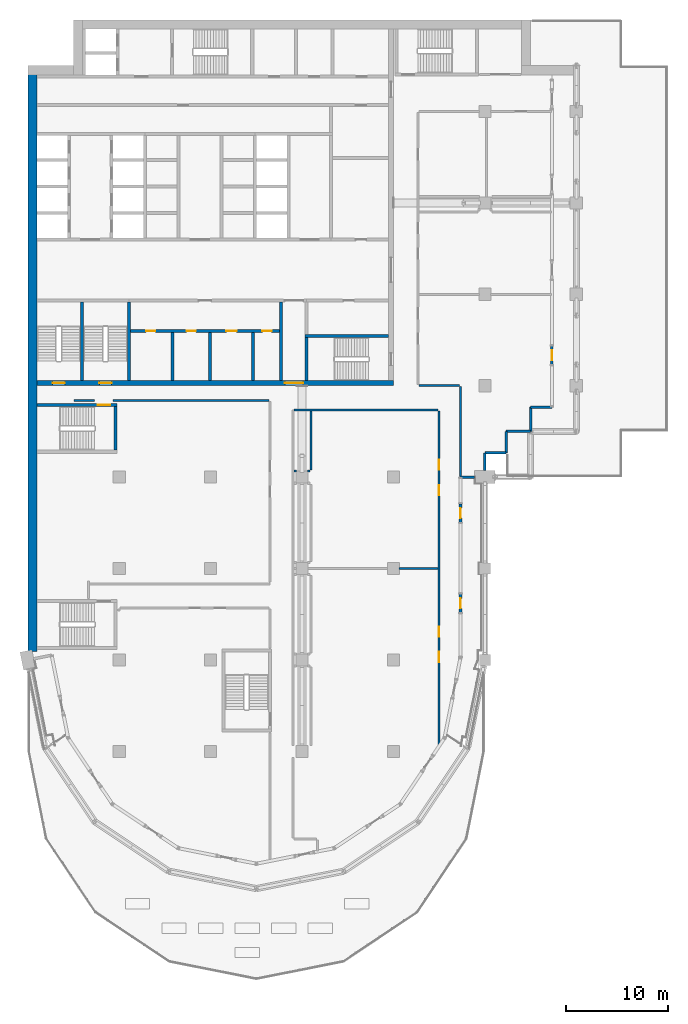
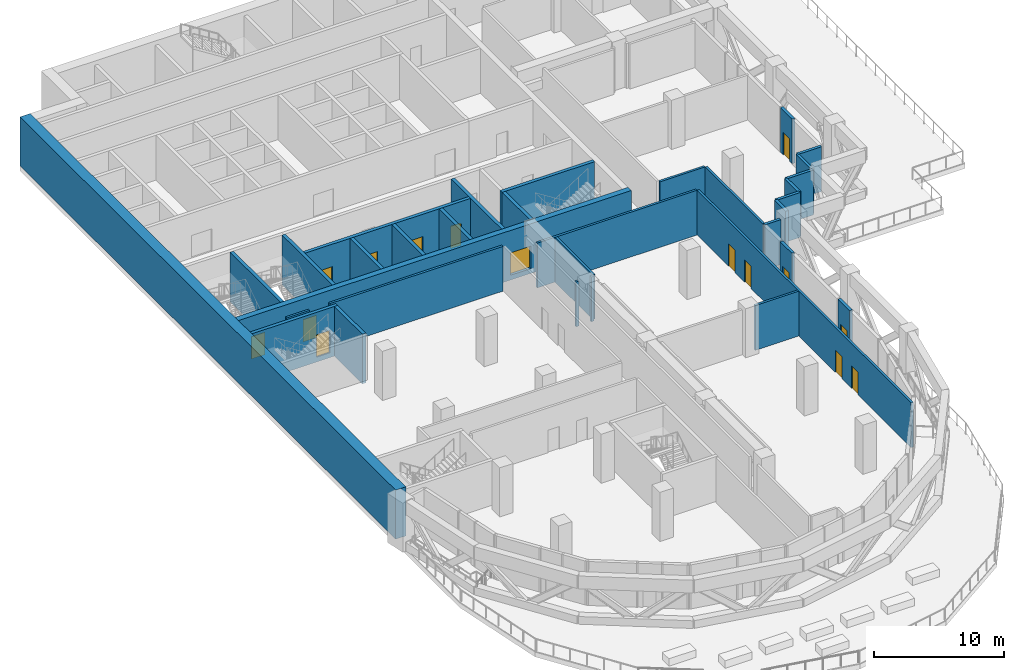
# One storey, part 8 of 20: 33 walls, 15 doors, 15 openings.
"""IFC4 building model written with IfcOpenShell, lengths in metres."""

from ifc_helpers import new_model, si_unit, direction, frame, frame_2d, origin, place, context, subcontext, project, spatial, rectangle, extrude, material, layer, layer_set, type_object, element, fill, save


model = new_model("IFC4")

# Units and contexts
model_context = context("Model", 3, precision=1e-05, world=origin(), true_north=direction((0.0, 1.0)))
body_context = subcontext(model_context, "Body", "Model", "MODEL_VIEW")
ifc_project = project(units=[si_unit("LENGTHUNIT", "METRE"), si_unit("AREAUNIT", "SQUARE_METRE"), si_unit("VOLUMEUNIT", "CUBIC_METRE"), si_unit("PLANEANGLEUNIT", "RADIAN"), si_unit("MASSUNIT", "GRAM", prefix="KILO")], contexts=[model_context])

# Site, building, storey
site_placement = place(None, origin())
site = spatial("IfcSite", under=ifc_project, at=site_placement, CompositionType="ELEMENT")
building_placement = place(site_placement, origin())
building = spatial("IfcBuilding", under=site, at=building_placement, Name="Hunhe Ridgeline Campus", CompositionType="ELEMENT")
storey_placement = place(building_placement, frame((0.0, 0.0, 178.199951171875)))
storey = spatial("IfcBuildingStorey", under=building, at=storey_placement, Name="L45", CompositionType="ELEMENT", Elevation=178.199951171875)

# Wall, openings, doors
ifc_material_1 = material(Name="Masonry concrete blockwork", Category="masonry")
ifc_layer_1 = layer(ifc_material_1, 0.300048828125)
ifc_layer_set_1 = layer_set([ifc_layer_1], Name="Core room partition 300 concrete block")
wall_type_1 = type_object("IfcWallType", Name="Core room partition 300 concrete block", PredefinedType="PARTITIONING", material=ifc_layer_set_1)
wall_1_placement = place(storey_placement, frame((10.10009765625, 68.39990234375, 0.0), z_axis=(0.0, 0.0, 1.0), x_axis=(1.0, 0.0, 0.0)))
wall_1 = element("IfcWall", 1, at=wall_1_placement, inside=storey, type_object=wall_type_1, Name="L45 core partition 9", PredefinedType="PARTITIONING", context=body_context, shape_type="SweptSolid", body=[
    extrude(rectangle(XDim=14.699951171875, YDim=0.300048828125, at=frame_2d((7.35009765625, 0.0))), origin(), (0.0, 0.0, 1.0), 4.199951171875),
])
opening_1_placement = place(wall_1_placement, frame((1.550048828125, 0.0, 0.0)))
opening_1 = element("IfcOpeningElement", 2, at=opening_1_placement, cuts=wall_1, Name="Opening CD8", PredefinedType="OPENING", context=body_context, shape_type="SweptSolid", body=[
    extrude(rectangle(XDim=0.89990234375, YDim=2.10009765625, at=frame_2d((0.449951171875, 1.050048828125))), frame((0.0, 0.14990234375, 0.0), z_axis=(0.0, -1.0, 0.0), x_axis=(1.0, 0.0, 0.0)), (0.0, 0.0, 1.0), 0.300048828125),
])
opening_2_placement = place(wall_1_placement, frame((5.550048828125, 0.0, 0.0)))
opening_2 = element("IfcOpeningElement", 3, at=opening_2_placement, cuts=wall_1, Name="Opening CD9", PredefinedType="OPENING", context=body_context, shape_type="SweptSolid", body=[
    extrude(rectangle(XDim=0.89990234375, YDim=2.10009765625, at=frame_2d((0.449951171875, 1.050048828125))), frame((0.0, 0.14990234375, 0.0), z_axis=(0.0, -1.0, 0.0), x_axis=(1.0, 0.0, 0.0)), (0.0, 0.0, 1.0), 0.300048828125),
])
opening_3_placement = place(wall_1_placement, frame((9.449951171875, 0.0, 0.0)))
opening_3 = element("IfcOpeningElement", 4, at=opening_3_placement, cuts=wall_1, Name="Opening CD10", PredefinedType="OPENING", context=body_context, shape_type="SweptSolid", body=[
    extrude(rectangle(XDim=1.0, YDim=2.10009765625, at=frame_2d((0.5, 1.050048828125))), frame((0.0, 0.14990234375, 0.0), z_axis=(0.0, -1.0, 0.0), x_axis=(1.0, 0.0, 0.0)), (0.0, 0.0, 1.0), 0.300048828125),
])
opening_4_placement = place(wall_1_placement, frame((13.0, 0.0, 0.0)))
opening_4 = element("IfcOpeningElement", 5, at=opening_4_placement, cuts=wall_1, Name="Opening CD11", PredefinedType="OPENING", context=body_context, shape_type="SweptSolid", body=[
    extrude(rectangle(XDim=0.89990234375, YDim=2.10009765625, at=frame_2d((0.449951171875, 1.050048828125))), frame((0.0, 0.14990234375, 0.0), z_axis=(0.0, -1.0, 0.0), x_axis=(1.0, 0.0, 0.0)), (0.0, 0.0, 1.0), 0.300048828125),
])
ifc_material_2 = material(Name="Solid core timber door leaf", Category="wood")
door_type_1 = type_object("IfcDoorType", Name="Timber door 1000x2100", OperationType="SINGLE_SWING_LEFT", PredefinedType="DOOR", material=ifc_material_2)
door_1_placement = place(opening_3_placement, frame((1.0, 0.0, 0.0), z_axis=(0.0, 0.0, 1.0), x_axis=(-1.0, 0.0, 0.0)))
door_1 = element("IfcDoor", 6, at=door_1_placement, inside=storey, type_object=door_type_1, Name="L45 door WC3", OperationType="SINGLE_SWING_LEFT", OverallHeight=2.10009765625, OverallWidth=1.0, PredefinedType="DOOR", context=body_context, shape_type="SweptSolid", body=[
    extrude(rectangle(XDim=1.0, YDim=2.10009765625, at=frame_2d((0.5, 1.050048828125))), frame((0.0, 0.02490234375, 0.0), z_axis=(0.0, -1.0, 0.0), x_axis=(1.0, 0.0, 0.0)), (0.0, 0.0, 1.0), 0.050048828125),
])
fill(opening_3, door_1)
door_type_2 = type_object("IfcDoorType", Name="Timber door 900x2100", OperationType="SINGLE_SWING_LEFT", PredefinedType="DOOR", material=ifc_material_2)
door_2_placement = place(opening_1_placement, frame((0.89990234375, 0.0, 0.0), z_axis=(0.0, 0.0, 1.0), x_axis=(-1.0, 0.0, 0.0)))
door_2 = element("IfcDoor", 7, at=door_2_placement, inside=storey, type_object=door_type_2, Name="L45 door WC1", OperationType="SINGLE_SWING_LEFT", OverallHeight=2.10009765625, OverallWidth=0.89990234375, PredefinedType="DOOR", context=body_context, shape_type="SweptSolid", body=[
    extrude(rectangle(XDim=0.89990234375, YDim=2.10009765625, at=frame_2d((0.449951171875, 1.050048828125))), frame((0.0, 0.02490234375, 0.0), z_axis=(0.0, -1.0, 0.0), x_axis=(1.0, 0.0, 0.0)), (0.0, 0.0, 1.0), 0.050048828125),
])
fill(opening_1, door_2)
door_3_placement = place(opening_2_placement, frame((0.89990234375, 0.0, 0.0), z_axis=(0.0, 0.0, 1.0), x_axis=(-1.0, 0.0, 0.0)))
door_3 = element("IfcDoor", 8, at=door_3_placement, inside=storey, type_object=door_type_2, Name="L45 door WC2", OperationType="SINGLE_SWING_RIGHT", OverallHeight=2.10009765625, OverallWidth=0.89990234375, PredefinedType="DOOR", context=body_context, shape_type="SweptSolid", body=[
    extrude(rectangle(XDim=0.89990234375, YDim=2.10009765625, at=frame_2d((0.449951171875, 1.050048828125))), frame((0.0, 0.02490234375, 0.0), z_axis=(0.0, -1.0, 0.0), x_axis=(1.0, 0.0, 0.0)), (0.0, 0.0, 1.0), 0.050048828125),
])
fill(opening_2, door_3)
door_4_placement = place(opening_4_placement, frame((0.89990234375, 0.0, 0.0), z_axis=(0.0, 0.0, 1.0), x_axis=(-1.0, 0.0, 0.0)))
door_4 = element("IfcDoor", 9, at=door_4_placement, inside=storey, type_object=door_type_2, Name="L45 door WC4", OperationType="SINGLE_SWING_RIGHT", OverallHeight=2.10009765625, OverallWidth=0.89990234375, PredefinedType="DOOR", context=body_context, shape_type="SweptSolid", body=[
    extrude(rectangle(XDim=0.89990234375, YDim=2.10009765625, at=frame_2d((0.449951171875, 1.050048828125))), frame((0.0, 0.02490234375, 0.0), z_axis=(0.0, -1.0, 0.0), x_axis=(1.0, 0.0, 0.0)), (0.0, 0.0, 1.0), 0.050048828125),
])
fill(opening_4, door_4)

# Walls
for number, where, z_axis, x_axis, name in (
    (10, (14.25, 63.5, 0.0), (0.0, 0.0, 1.0), (0.0, 1.0, 0.0), "L45 core partition 48"),
    (11, (17.949951171875, 63.5, 0.0), (0.0, 0.0, 1.0), (0.0, 1.0, 0.0), "L45 core partition 50"),
    (12, (22.14990234375, 63.5, 0.0), (0.0, 0.0, 1.0), (0.0, 1.0, 0.0), "L45 core partition 54"),
):
    element("IfcWall", number, at=place(storey_placement, frame(where, z_axis=z_axis, x_axis=x_axis)), inside=storey, type_object=wall_type_1, Name=name, PredefinedType="PARTITIONING", context=body_context, shape_type="SweptSolid", body=[
        extrude(rectangle(XDim=4.75, YDim=0.300048828125, at=frame_2d((2.375, 0.0))), origin(), (0.0, 0.0, 1.0), 4.199951171875),
    ])
wall_2_placement = place(storey_placement, frame((24.949951171875, 63.5, 0.0), z_axis=(0.0, 0.0, 1.0), x_axis=(0.0, 1.0, 0.0)))
element("IfcWall", 13, at=wall_2_placement, inside=storey, type_object=wall_type_1, Name="L45 core partition 57", PredefinedType="PARTITIONING", context=body_context, shape_type="SweptSolid", body=[
    extrude(rectangle(XDim=7.75, YDim=0.300048828125, at=frame_2d((3.875, 0.0))), origin(), (0.0, 0.0, 1.0), 4.199951171875),
])

# Wall, openings, doors
ifc_material_3 = material(Name="Concrete C60", Category="concrete")
ifc_layer_2 = layer(ifc_material_3, 0.5)
ifc_layer_set_2 = layer_set([ifc_layer_2], Name="Core wall 500 reinforced concrete C60")
wall_type_2 = type_object("IfcWallType", Name="Core wall 500 reinforced concrete C60", PredefinedType="SOLIDWALL", material=ifc_layer_set_2)
wall_3_placement = place(storey_placement, frame((0.89990234375, 63.25, -0.449951171875), z_axis=(0.0, 0.0, 1.0), x_axis=(1.0, 0.0, 0.0)))
wall_3 = element("IfcWall", 14, at=wall_3_placement, inside=storey, type_object=wall_type_2, Name="L45 core wall 7", PredefinedType="SOLIDWALL", context=body_context, shape_type="SweptSolid", body=[
    extrude(rectangle(XDim=35.10009765625, YDim=0.5, at=frame_2d((17.550048828125, 0.0))), origin(), (0.0, 0.0, 1.0), 4.64990234375),
])
opening_5_placement = place(wall_3_placement, frame((24.39990234375, 0.0, 0.449951171875)))
opening_5 = element("IfcOpeningElement", 15, at=opening_5_placement, cuts=wall_3, Name="Opening CD6", PredefinedType="OPENING", context=body_context, shape_type="SweptSolid", body=[
    extrude(rectangle(XDim=1.800048828125, YDim=2.10009765625, at=frame_2d((0.89990234375, 1.050048828125))), frame((0.0, 0.25, 0.0), z_axis=(0.0, -1.0, 0.0), x_axis=(1.0, 0.0, 0.0)), (0.0, 0.0, 1.0), 0.5),
])
opening_6_placement = place(wall_3_placement, frame((1.550048828125, 0.0, 0.449951171875)))
opening_6 = element("IfcOpeningElement", 16, at=opening_6_placement, cuts=wall_3, Name="Opening CD13", PredefinedType="OPENING", context=body_context, shape_type="SweptSolid", body=[
    extrude(rectangle(XDim=1.199951171875, YDim=2.10009765625, at=frame_2d((0.60009765625, 1.050048828125))), frame((0.0, 0.25, 0.0), z_axis=(0.0, -1.0, 0.0), x_axis=(1.0, 0.0, 0.0)), (0.0, 0.0, 1.0), 0.5),
])
opening_7_placement = place(wall_3_placement, frame((6.14990234375, 0.0, 0.449951171875)))
opening_7 = element("IfcOpeningElement", 17, at=opening_7_placement, cuts=wall_3, Name="Opening CD14", PredefinedType="OPENING", context=body_context, shape_type="SweptSolid", body=[
    extrude(rectangle(XDim=1.199951171875, YDim=2.10009765625, at=frame_2d((0.60009765625, 1.050048828125))), frame((0.0, 0.25, 0.0), z_axis=(0.0, -1.0, 0.0), x_axis=(1.0, 0.0, 0.0)), (0.0, 0.0, 1.0), 0.5),
])
ifc_material_4 = material(Name="Anodised aluminium and glass", Category="aluminium")
door_type_3 = type_object("IfcDoorType", Name="Glazed double door 1800x2100", OperationType="DOUBLE_DOOR_SINGLE_SWING", PredefinedType="DOOR", material=ifc_material_4)
door_5_placement = place(opening_5_placement, frame((1.800048828125, 0.0, 0.0), z_axis=(0.0, 0.0, 1.0), x_axis=(-1.0, 0.0, 0.0)))
door_5 = element("IfcDoor", 18, at=door_5_placement, inside=storey, type_object=door_type_3, Name="L45 door VEST-FLOOR", OperationType="DOUBLE_DOOR_SINGLE_SWING", OverallHeight=2.10009765625, OverallWidth=1.800048828125, PredefinedType="DOOR", context=body_context, shape_type="SweptSolid", body=[
    extrude(rectangle(XDim=1.800048828125, YDim=2.10009765625, at=frame_2d((0.89990234375, 1.050048828125))), frame((0.0, 0.02490234375, 0.0), z_axis=(0.0, -1.0, 0.0), x_axis=(1.0, 0.0, 0.0)), (0.0, 0.0, 1.0), 0.050048828125),
])
fill(opening_5, door_5)
ifc_material_5 = material(Name="Hollow metal fire door leaf")
door_type_4 = type_object("IfcDoorType", Name="Stair door 1200x2100 FD60", OperationType="SINGLE_SWING_LEFT", PredefinedType="DOOR", material=ifc_material_5)
door_6_placement = place(opening_6_placement, frame((1.199951171875, 0.0, 0.0), z_axis=(0.0, 0.0, 1.0), x_axis=(-1.0, 0.0, 0.0)))
door_6 = element("IfcDoor", 19, at=door_6_placement, inside=storey, type_object=door_type_4, Name="L45 door S3", OperationType="SINGLE_SWING_LEFT", OverallHeight=2.10009765625, OverallWidth=1.199951171875, PredefinedType="DOOR", context=body_context, shape_type="SweptSolid", body=[
    extrude(rectangle(XDim=1.199951171875, YDim=2.10009765625, at=frame_2d((0.60009765625, 1.050048828125))), frame((0.0, 0.02490234375, 0.0), z_axis=(0.0, -1.0, 0.0), x_axis=(1.0, 0.0, 0.0)), (0.0, 0.0, 1.0), 0.050048828125),
])
fill(opening_6, door_6)
door_7_placement = place(opening_7_placement, frame((1.199951171875, 0.0, 0.0), z_axis=(0.0, 0.0, 1.0), x_axis=(-1.0, 0.0, 0.0)))
door_7 = element("IfcDoor", 20, at=door_7_placement, inside=storey, type_object=door_type_4, Name="L45 door S4", OperationType="SINGLE_SWING_RIGHT", OverallHeight=2.10009765625, OverallWidth=1.199951171875, PredefinedType="DOOR", context=body_context, shape_type="SweptSolid", body=[
    extrude(rectangle(XDim=1.199951171875, YDim=2.10009765625, at=frame_2d((0.60009765625, 1.050048828125))), frame((0.0, 0.02490234375, 0.0), z_axis=(0.0, -1.0, 0.0), x_axis=(1.0, 0.0, 0.0)), (0.0, 0.0, 1.0), 0.050048828125),
])
fill(opening_7, door_7)

# Walls
ifc_material_6 = material(Name="Concrete C30", Category="concrete")
ifc_layer_3 = layer(ifc_material_6, 0.25)
ifc_layer_set_3 = layer_set([ifc_layer_3], Name="Corner return wall 250 Concrete C30")
wall_type_3 = type_object("IfcWallType", Name="Corner return wall 250 Concrete C30", PredefinedType="SOLIDWALL", material=ifc_layer_set_3)
wall_4_placement = place(storey_placement, frame((42.59912109375, 54.00048828125, 0.0), z_axis=(0.0, 0.0, 1.0), x_axis=(0.999999984814, 0.000174276749, 0.0)))
element("IfcWall", 21, at=wall_4_placement, inside=storey, type_object=wall_type_3, Name="Corner return wall 2", PredefinedType="SOLIDWALL", context=body_context, shape_type="SweptSolid", body=[
    extrude(rectangle(XDim=1.40087890625, YDim=0.25, at=frame_2d((0.700439453125, 0.0))), origin(), (0.0, 0.0, 1.0), 4.199951171875),
])
wall_5_placement = place(storey_placement, frame((44.9990234375, 54.64990234375, 0.0), z_axis=(0.0, 0.0, 1.0), x_axis=(0.000139450563, 0.999999990277, 0.0)))
element("IfcWall", 22, at=wall_5_placement, inside=storey, type_object=wall_type_3, Name="Corner return wall 3", PredefinedType="SOLIDWALL", context=body_context, shape_type="SweptSolid", body=[
    extrude(rectangle(XDim=1.750732421875, YDim=0.25, at=frame_2d((0.87548828125, 0.0))), origin(), (0.0, 0.0, 1.0), 4.199951171875),
])
wall_6_placement = place(storey_placement, frame((44.999267578125, 56.400634765625, 0.0), z_axis=(0.0, 0.0, 1.0), x_axis=(0.999999993241, 0.00011626555, 0.0)))
element("IfcWall", 23, at=wall_6_placement, inside=storey, type_object=wall_type_3, Name="Corner return wall 4", PredefinedType="SOLIDWALL", context=body_context, shape_type="SweptSolid", body=[
    extrude(rectangle(XDim=2.099853515625, YDim=0.25, at=frame_2d((1.0498046875, 0.0))), origin(), (0.0, 0.0, 1.0), 4.199951171875),
])
wall_7_placement = place(storey_placement, frame((47.09912109375, 56.40087890625, 0.0), z_axis=(0.0, 0.0, 1.0), x_axis=(0.000232504063, 0.999999972971, 0.0)))
element("IfcWall", 24, at=wall_7_placement, inside=storey, type_object=wall_type_3, Name="Corner return wall 5", PredefinedType="SOLIDWALL", context=body_context, shape_type="SweptSolid", body=[
    extrude(rectangle(XDim=2.10009765625, YDim=0.25, at=frame_2d((1.050048828125, 0.0))), origin(), (0.0, 0.0, 1.0), 4.199951171875),
])
wall_8_placement = place(storey_placement, frame((47.099609375, 58.5009765625, 0.0), z_axis=(0.0, 0.0, 1.0), x_axis=(1.0, 0.0, 0.0)))
element("IfcWall", 25, at=wall_8_placement, inside=storey, type_object=wall_type_3, Name="Corner return wall 6", PredefinedType="SOLIDWALL", context=body_context, shape_type="SweptSolid", body=[
    extrude(rectangle(XDim=2.3994140625, YDim=0.25, at=frame_2d((1.19970703125, 0.0))), origin(), (0.0, 0.0, 1.0), 4.199951171875),
])
wall_9_placement = place(storey_placement, frame((49.4990234375, 58.5009765625, 0.0), z_axis=(0.0, 0.0, 1.0), x_axis=(0.000203458795, 0.999999979302, 0.0)))
element("IfcWall", 26, at=wall_9_placement, inside=storey, type_object=wall_type_3, Name="Corner return wall 7", PredefinedType="SOLIDWALL", context=body_context, shape_type="SweptSolid", body=[
    extrude(rectangle(XDim=2.39990234375, YDim=0.25, at=frame_2d((1.199951171875, 0.0))), origin(), (0.0, 0.0, 1.0), 4.199951171875),
])
wall_10_placement = place(storey_placement, frame((49.49951171875, 60.90087890625, 0.0), z_axis=(0.0, 0.0, 1.0), x_axis=(1.0, 0.0, 0.0)))
element("IfcWall", 27, at=wall_10_placement, inside=storey, type_object=wall_type_3, Name="Corner return wall 8", PredefinedType="SOLIDWALL", context=body_context, shape_type="SweptSolid", body=[
    extrude(rectangle(XDim=2.099609375, YDim=0.25, at=frame_2d((1.0498046875, 0.0))), origin(), (0.0, 0.0, 1.0), 4.199951171875),
])
ifc_material_7 = material(Name="Gypsum board partition")
ifc_layer_4 = layer(ifc_material_7, 0.199951171875)
ifc_layer_set_4 = layer_set([ifc_layer_4], Name="Corridor partition 200 gypsum board on steel studs")
wall_type_4 = type_object("IfcWallType", Name="Corridor partition 200 gypsum board on steel studs", PredefinedType="PARTITIONING", material=ifc_layer_set_4)
wall_11_placement = place(storey_placement, frame((36.550048828125, 45.0, 0.0), z_axis=(0.0, 0.0, 1.0), x_axis=(1.0, 0.0, 0.0)))
element("IfcWall", 28, at=wall_11_placement, inside=storey, type_object=wall_type_4, Name="F-L45-wall-012", PredefinedType="PARTITIONING", context=body_context, shape_type="SweptSolid", body=[
    extrude(rectangle(XDim=3.849853515625, YDim=0.199951171875, at=frame_2d((1.9248046875, 0.0))), origin(), (0.0, 0.0, 1.0), 4.199951171875),
])
for number, where, z_axis, x_axis, name in (
    (29, (26.199951171875, 54.60009765625, 0.0), (0.0, 0.0, 1.0), (1.0, 0.0, 0.0), "F-L45-wall-017"),
    (30, (27.550048828125, 54.60009765625, 0.0), (0.0, 0.0, 1.0), (1.0, 0.0, 0.0), "F-L45-wall-018"),
):
    element("IfcWall", number, at=place(storey_placement, frame(where, z_axis=z_axis, x_axis=x_axis)), inside=storey, type_object=wall_type_4, Name=name, PredefinedType="PARTITIONING", context=body_context, shape_type="SweptSolid", body=[
        extrude(rectangle(XDim=0.25, YDim=0.199951171875, at=frame_2d((0.125, 0.0))), origin(), (0.0, 0.0, 1.0), 4.199951171875),
    ])
wall_12_placement = place(storey_placement, frame((40.39990234375, 60.60009765625, 0.0), z_axis=(0.0, 0.0, 1.0), x_axis=(-1.0, 0.0, 0.0)))
element("IfcWall", 31, at=wall_12_placement, inside=storey, type_object=wall_type_4, Name="F-L45-wall-019", PredefinedType="PARTITIONING", context=body_context, shape_type="SweptSolid", body=[
    extrude(rectangle(XDim=14.169677734375, YDim=0.199951171875, at=frame_2d((7.0849609375, 0.0))), origin(), (0.0, 0.0, 1.0), 4.199951171875),
])
wall_13_placement = place(storey_placement, frame((6.590087890625, 61.550048828125, 0.0), z_axis=(0.0, 0.0, 1.0), x_axis=(-1.0, 0.0, 0.0)))
element("IfcWall", 32, at=wall_13_placement, inside=storey, type_object=wall_type_4, Name="F-L45-wall-020", PredefinedType="PARTITIONING", context=body_context, shape_type="SweptSolid", body=[
    extrude(rectangle(XDim=2.030029296875, YDim=0.199951171875, at=frame_2d((1.01513671875, 0.0))), origin(), (0.0, 0.0, 1.0), 4.199951171875),
])
wall_14_placement = place(storey_placement, frame((23.75, 61.550048828125, 0.0), z_axis=(0.0, 0.0, 1.0), x_axis=(-1.0, 0.0, 0.0)))
element("IfcWall", 33, at=wall_14_placement, inside=storey, type_object=wall_type_4, Name="F-L45-wall-021", PredefinedType="PARTITIONING", context=body_context, shape_type="SweptSolid", body=[
    extrude(rectangle(XDim=15.35009765625, YDim=0.199951171875, at=frame_2d((7.675048828125, 0.0))), origin(), (0.0, 0.0, 1.0), 4.199951171875),
])
wall_15_placement = place(storey_placement, frame((38.5, 63.0, 0.0), z_axis=(0.0, 0.0, 1.0), x_axis=(1.0, 0.0, 0.0)))
element("IfcWall", 34, at=wall_15_placement, inside=storey, type_object=wall_type_4, Name="F-L45-wall-022", PredefinedType="PARTITIONING", context=body_context, shape_type="SweptSolid", body=[
    extrude(rectangle(XDim=4.0, YDim=0.199951171875, at=frame_2d((2.0, 0.0))), origin(), (0.0, 0.0, 1.0), 4.199951171875),
])
wall_16_placement = place(storey_placement, frame((27.89990234375, 60.5, 0.0), z_axis=(0.0, 0.0, 1.0), x_axis=(0.0, -1.0, 0.0)))
element("IfcWall", 35, at=wall_16_placement, inside=storey, type_object=wall_type_4, Name="F-L45-wall-042", PredefinedType="PARTITIONING", context=body_context, shape_type="SweptSolid", body=[
    extrude(rectangle(XDim=5.800048828125, YDim=0.199951171875, at=frame_2d((2.89990234375, 0.0))), origin(), (0.0, 0.0, 1.0), 4.199951171875),
])

# Wall, openings, doors
wall_17_placement = place(storey_placement, frame((40.5, 27.636962890625, 0.0), z_axis=(0.0, 0.0, 1.0), x_axis=(0.0, 1.0, 0.0)))
wall_17 = element("IfcWall", 36, at=wall_17_placement, inside=storey, type_object=wall_type_4, Name="F-L45-wall-045", PredefinedType="PARTITIONING", context=body_context, shape_type="SweptSolid", body=[
    extrude(rectangle(XDim=32.863037109375, YDim=0.199951171875, at=frame_2d((16.431640625, 0.0))), origin(), (0.0, 0.0, 1.0), 4.199951171875),
])
opening_8_placement = place(wall_17_placement, frame((8.15478515625, 0.0, 0.0)))
opening_8 = element("IfcOpeningElement", 37, at=opening_8_placement, cuts=wall_17, Name="Opening RD1-001", PredefinedType="OPENING", context=body_context, shape_type="SweptSolid", body=[
    extrude(rectangle(XDim=1.0, YDim=2.10009765625, at=frame_2d((0.5, 1.050048828125))), frame((0.0, 0.10009765625, 0.0), z_axis=(0.0, -1.0, 0.0), x_axis=(1.0, 0.0, 0.0)), (0.0, 0.0, 1.0), 0.199951171875),
])
opening_9_placement = place(wall_17_placement, frame((10.65478515625, 0.0, 0.0)))
opening_9 = element("IfcOpeningElement", 38, at=opening_9_placement, cuts=wall_17, Name="Opening RD1-002", PredefinedType="OPENING", context=body_context, shape_type="SweptSolid", body=[
    extrude(rectangle(XDim=1.0, YDim=2.10009765625, at=frame_2d((0.5, 1.050048828125))), frame((0.0, 0.10009765625, 0.0), z_axis=(0.0, -1.0, 0.0), x_axis=(1.0, 0.0, 0.0)), (0.0, 0.0, 1.0), 0.199951171875),
])
opening_10_placement = place(wall_17_placement, frame((24.586181640625, 0.0, 0.0)))
opening_10 = element("IfcOpeningElement", 39, at=opening_10_placement, cuts=wall_17, Name="Opening RD1-006", PredefinedType="OPENING", context=body_context, shape_type="SweptSolid", body=[
    extrude(rectangle(XDim=1.0, YDim=2.10009765625, at=frame_2d((0.5, 1.050048828125))), frame((0.0, 0.10009765625, 0.0), z_axis=(0.0, -1.0, 0.0), x_axis=(1.0, 0.0, 0.0)), (0.0, 0.0, 1.0), 0.199951171875),
])
opening_11_placement = place(wall_17_placement, frame((27.086181640625, 0.0, 0.0)))
opening_11 = element("IfcOpeningElement", 40, at=opening_11_placement, cuts=wall_17, Name="Opening RD1-008", PredefinedType="OPENING", context=body_context, shape_type="SweptSolid", body=[
    extrude(rectangle(XDim=1.0, YDim=2.10009765625, at=frame_2d((0.5, 1.050048828125))), frame((0.0, 0.10009765625, 0.0), z_axis=(0.0, -1.0, 0.0), x_axis=(1.0, 0.0, 0.0)), (0.0, 0.0, 1.0), 0.199951171875),
])
ifc_material_8 = material(Name="Timber door leaf", Category="wood")
door_type_5 = type_object("IfcDoorType", Name="Single fire door 1000x2100 timber FD60", OperationType="NOTDEFINED", PredefinedType="DOOR", material=ifc_material_8)
door_8_placement = place(opening_8_placement, frame((1.0, 0.0, 0.0), z_axis=(0.0, 0.0, 1.0), x_axis=(-1.0, 0.0, 0.0)))
door_8 = element("IfcDoor", 41, at=door_8_placement, inside=storey, type_object=door_type_5, Name="F-L45-door-001", OperationType="SINGLE_SWING_LEFT", OverallHeight=2.10009765625, OverallWidth=1.0, PredefinedType="DOOR", context=body_context, shape_type="SweptSolid", body=[
    extrude(rectangle(XDim=1.0, YDim=2.10009765625, at=frame_2d((0.5, 1.050048828125))), frame((0.0, 0.02490234375, 0.0), z_axis=(0.0, -1.0, 0.0), x_axis=(1.0, 0.0, 0.0)), (0.0, 0.0, 1.0), 0.050048828125),
])
fill(opening_8, door_8)
door_9_placement = place(opening_9_placement, frame((1.0, 0.0, 0.0), z_axis=(0.0, 0.0, 1.0), x_axis=(-1.0, 0.0, 0.0)))
door_9 = element("IfcDoor", 42, at=door_9_placement, inside=storey, type_object=door_type_5, Name="F-L45-door-002", OperationType="SINGLE_SWING_LEFT", OverallHeight=2.10009765625, OverallWidth=1.0, PredefinedType="DOOR", context=body_context, shape_type="SweptSolid", body=[
    extrude(rectangle(XDim=1.0, YDim=2.10009765625, at=frame_2d((0.5, 1.050048828125))), frame((0.0, 0.02490234375, 0.0), z_axis=(0.0, -1.0, 0.0), x_axis=(1.0, 0.0, 0.0)), (0.0, 0.0, 1.0), 0.050048828125),
])
fill(opening_9, door_9)
door_10_placement = place(opening_10_placement, frame((1.0, 0.0, 0.0), z_axis=(0.0, 0.0, 1.0), x_axis=(-1.0, 0.0, 0.0)))
door_10 = element("IfcDoor", 43, at=door_10_placement, inside=storey, type_object=door_type_5, Name="F-L45-door-006", OperationType="SINGLE_SWING_LEFT", OverallHeight=2.10009765625, OverallWidth=1.0, PredefinedType="DOOR", context=body_context, shape_type="SweptSolid", body=[
    extrude(rectangle(XDim=1.0, YDim=2.10009765625, at=frame_2d((0.5, 1.050048828125))), frame((0.0, 0.02490234375, 0.0), z_axis=(0.0, -1.0, 0.0), x_axis=(1.0, 0.0, 0.0)), (0.0, 0.0, 1.0), 0.050048828125),
])
fill(opening_10, door_10)
door_11_placement = place(opening_11_placement, frame((1.0, 0.0, 0.0), z_axis=(0.0, 0.0, 1.0), x_axis=(-1.0, 0.0, 0.0)))
door_11 = element("IfcDoor", 44, at=door_11_placement, inside=storey, type_object=door_type_5, Name="F-L45-door-008", OperationType="SINGLE_SWING_LEFT", OverallHeight=2.10009765625, OverallWidth=1.0, PredefinedType="DOOR", context=body_context, shape_type="SweptSolid", body=[
    extrude(rectangle(XDim=1.0, YDim=2.10009765625, at=frame_2d((0.5, 1.050048828125))), frame((0.0, 0.02490234375, 0.0), z_axis=(0.0, -1.0, 0.0), x_axis=(1.0, 0.0, 0.0)), (0.0, 0.0, 1.0), 0.050048828125),
])
fill(opening_11, door_11)

# Wall
wall_18_placement = place(storey_placement, frame((42.60009765625, 62.89990234375, 0.0), z_axis=(0.0, 0.0, 1.0), x_axis=(0.0, -1.0, 0.0)))
element("IfcWall", 45, at=wall_18_placement, inside=storey, type_object=wall_type_4, Name="F-L45-wall-046", PredefinedType="PARTITIONING", context=body_context, shape_type="SweptSolid", body=[
    extrude(rectangle(XDim=8.845458984375, YDim=0.199951171875, at=frame_2d((4.4228515625, 0.0))), origin(), (0.0, 0.0, 1.0), 4.199951171875),
])

# Wall, opening, door
ifc_layer_5 = layer(ifc_material_6, 0.25)
ifc_layer_set_5 = layer_set([ifc_layer_5], Name="Loggia door pier wall 250 Concrete C30")
wall_type_5 = type_object("IfcWallType", Name="Loggia door pier wall 250 Concrete C30", PredefinedType="SOLIDWALL", material=ifc_layer_set_5)
wall_19_placement = place(storey_placement, frame((42.59912109375, 40.677490234375, 0.0), z_axis=(0.0, 0.0, 1.0), x_axis=(0.0, 1.0, 0.0)))
wall_19 = element("IfcWall", 46, at=wall_19_placement, inside=storey, type_object=wall_type_5, Name="Loggia door pier 9", PredefinedType="SOLIDWALL", context=body_context, shape_type="SweptSolid", body=[
    extrude(rectangle(XDim=1.800048828125, YDim=0.25, at=frame_2d((0.89990234375, 0.0))), origin(), (0.0, 0.0, 1.0), 4.199951171875),
])
opening_12_placement = place(wall_19_placement, frame((0.39990234375, 0.0, 0.0)))
opening_12 = element("IfcOpeningElement", 47, at=opening_12_placement, cuts=wall_19, Name="Opening BR409", PredefinedType="OPENING", context=body_context, shape_type="SweptSolid", body=[
    extrude(rectangle(XDim=1.0, YDim=2.10009765625, at=frame_2d((0.5, 1.050048828125))), frame((0.0, 0.125, 0.0), z_axis=(0.0, -1.0, 0.0), x_axis=(1.0, 0.0, 0.0)), (0.0, 0.0, 1.0), 0.25),
])
ifc_material_9 = material(Name="Aluminium 6063", Category="aluminium")
door_type_6 = type_object("IfcDoorType", Name="Loggia glazed door 1000x2100", OperationType="NOTDEFINED", PredefinedType="DOOR", material=ifc_material_9)
door_12_placement = place(opening_12_placement, frame((1.0, 0.0, 0.0), z_axis=(0.0, 0.0, 1.0), x_axis=(-1.0, 0.0, 0.0)))
door_12 = element("IfcDoor", 48, at=door_12_placement, inside=storey, type_object=door_type_6, Name="Loggia door BR409", OperationType="SINGLE_SWING_RIGHT", OverallHeight=2.10009765625, OverallWidth=1.0, PredefinedType="DOOR", context=body_context, shape_type="SweptSolid", body=[
    extrude(rectangle(XDim=1.0, YDim=2.10009765625, at=frame_2d((0.5, 1.050048828125))), frame((0.0, 0.02490234375, 0.0), z_axis=(0.0, -1.0, 0.0), x_axis=(1.0, 0.0, 0.0)), (0.0, 0.0, 1.0), 0.050048828125),
])
fill(opening_12, door_12)

wall_20_placement = place(storey_placement, frame((42.59912109375, 49.5595703125, 0.0), z_axis=(0.0, 0.0, 1.0), x_axis=(0.0, 1.0, 0.0)))
wall_20 = element("IfcWall", 49, at=wall_20_placement, inside=storey, type_object=wall_type_5, Name="Loggia door pier 10", PredefinedType="SOLIDWALL", context=body_context, shape_type="SweptSolid", body=[
    extrude(rectangle(XDim=1.7998046875, YDim=0.25, at=frame_2d((0.89990234375, 0.0))), origin(), (0.0, 0.0, 1.0), 4.199951171875),
])
opening_13_placement = place(wall_20_placement, frame((0.39990234375, 0.0, 0.0)))
opening_13 = element("IfcOpeningElement", 50, at=opening_13_placement, cuts=wall_20, Name="Opening BR410", PredefinedType="OPENING", context=body_context, shape_type="SweptSolid", body=[
    extrude(rectangle(XDim=1.0, YDim=2.10009765625, at=frame_2d((0.5, 1.050048828125))), frame((0.0, 0.125, 0.0), z_axis=(0.0, -1.0, 0.0), x_axis=(1.0, 0.0, 0.0)), (0.0, 0.0, 1.0), 0.25),
])
door_13_placement = place(opening_13_placement, frame((1.0, 0.0, 0.0), z_axis=(0.0, 0.0, 1.0), x_axis=(-1.0, 0.0, 0.0)))
door_13 = element("IfcDoor", 51, at=door_13_placement, inside=storey, type_object=door_type_6, Name="Loggia door BR410", OperationType="SINGLE_SWING_LEFT", OverallHeight=2.10009765625, OverallWidth=1.0, PredefinedType="DOOR", context=body_context, shape_type="SweptSolid", body=[
    extrude(rectangle(XDim=1.0, YDim=2.10009765625, at=frame_2d((0.5, 1.050048828125))), frame((0.0, 0.02490234375, 0.0), z_axis=(0.0, -1.0, 0.0), x_axis=(1.0, 0.0, 0.0)), (0.0, 0.0, 1.0), 0.050048828125),
])
fill(opening_13, door_13)

wall_21_placement = place(storey_placement, frame((51.59912109375, 65.100830078125, 0.0), z_axis=(0.0, 0.0, 1.0), x_axis=(0.0, 1.0, 0.0)))
wall_21 = element("IfcWall", 52, at=wall_21_placement, inside=storey, type_object=wall_type_5, Name="Loggia door pier 11", PredefinedType="SOLIDWALL", context=body_context, shape_type="SweptSolid", body=[
    extrude(rectangle(XDim=1.800048828125, YDim=0.25, at=frame_2d((0.89990234375, 0.0))), origin(), (0.0, 0.0, 1.0), 4.199951171875),
])
opening_14_placement = place(wall_21_placement, frame((0.39990234375, 0.0, 0.0)))
opening_14 = element("IfcOpeningElement", 53, at=opening_14_placement, cuts=wall_21, Name="Opening BR411", PredefinedType="OPENING", context=body_context, shape_type="SweptSolid", body=[
    extrude(rectangle(XDim=1.0, YDim=2.10009765625, at=frame_2d((0.5, 1.050048828125))), frame((0.0, 0.125, 0.0), z_axis=(0.0, -1.0, 0.0), x_axis=(1.0, 0.0, 0.0)), (0.0, 0.0, 1.0), 0.25),
])
door_14_placement = place(opening_14_placement, frame((1.0, 0.0, 0.0), z_axis=(0.0, 0.0, 1.0), x_axis=(-1.0, 0.0, 0.0)))
door_14 = element("IfcDoor", 54, at=door_14_placement, inside=storey, type_object=door_type_6, Name="Loggia door BR411", OperationType="SINGLE_SWING_RIGHT", OverallHeight=2.10009765625, OverallWidth=1.0, PredefinedType="DOOR", context=body_context, shape_type="SweptSolid", body=[
    extrude(rectangle(XDim=1.0, YDim=2.10009765625, at=frame_2d((0.5, 1.050048828125))), frame((0.0, 0.02490234375, 0.0), z_axis=(0.0, -1.0, 0.0), x_axis=(1.0, 0.0, 0.0)), (0.0, 0.0, 1.0), 0.050048828125),
])
fill(opening_14, door_14)

# Wall
ifc_layer_6 = layer(ifc_material_3, 0.89990234375)
ifc_layer_set_6 = layer_set([ifc_layer_6], Name="Spine wall 900 Concrete C60")
wall_type_6 = type_object("IfcWallType", Name="Spine wall 900 Concrete C60", PredefinedType="SHEAR", material=ifc_layer_set_6)
wall_22_placement = place(storey_placement, frame((0.449951171875, 94.5, 0.0), z_axis=(0.0, 0.0, 1.0), x_axis=(0.0, -1.0, 0.0)))
element("IfcWall", 55, at=wall_22_placement, inside=storey, type_object=wall_type_6, Name="Spine wall SW3-1 L45", PredefinedType="SHEAR", context=body_context, shape_type="SweptSolid", body=[
    extrude(rectangle(XDim=57.686767578125, YDim=0.89990234375, at=frame_2d((28.84326171875, 0.0))), origin(), (0.0, 0.0, 1.0), 4.60009765625),
])

# Wall, opening, door
ifc_layer_7 = layer(ifc_material_3, 0.300048828125)
ifc_layer_set_7 = layer_set([ifc_layer_7], Name="Stair wall 300 reinforced concrete C60")
wall_type_7 = type_object("IfcWallType", Name="Stair wall 300 reinforced concrete C60", PredefinedType="SOLIDWALL", material=ifc_layer_set_7)
wall_23_placement = place(storey_placement, frame((0.89990234375, 61.10009765625, -0.449951171875), z_axis=(0.0, 0.0, 1.0), x_axis=(1.0, 0.0, 0.0)))
wall_23 = element("IfcWall", 56, at=wall_23_placement, inside=storey, type_object=wall_type_7, Name="L45 core wall 6", PredefinedType="SOLIDWALL", context=body_context, shape_type="SweptSolid", body=[
    extrude(rectangle(XDim=7.900146484375, YDim=0.300048828125, at=frame_2d((3.9501953125, 0.0))), origin(), (0.0, 0.0, 1.0), 4.64990234375),
])
opening_15_placement = place(wall_23_placement, frame((6.0, 0.0, 0.449951171875)))
opening_15 = element("IfcOpeningElement", 57, at=opening_15_placement, cuts=wall_23, Name="Opening CD22", PredefinedType="OPENING", context=body_context, shape_type="SweptSolid", body=[
    extrude(rectangle(XDim=1.199951171875, YDim=2.10009765625, at=frame_2d((0.60009765625, 1.050048828125))), frame((0.0, 0.14990234375, 0.0), z_axis=(0.0, -1.0, 0.0), x_axis=(1.0, 0.0, 0.0)), (0.0, 0.0, 1.0), 0.300048828125),
])
door_15_placement = place(opening_15_placement, origin())
door_15 = element("IfcDoor", 58, at=door_15_placement, inside=storey, type_object=door_type_4, Name="L45 door W2", OperationType="SINGLE_SWING_RIGHT", OverallHeight=2.10009765625, OverallWidth=1.199951171875, PredefinedType="DOOR", context=body_context, shape_type="SweptSolid", body=[
    extrude(rectangle(XDim=1.199951171875, YDim=2.10009765625, at=frame_2d((0.60009765625, 1.050048828125))), frame((0.0, 0.02490234375, 0.0), z_axis=(0.0, -1.0, 0.0), x_axis=(1.0, 0.0, 0.0)), (0.0, 0.0, 1.0), 0.050048828125),
])
fill(opening_15, door_15)

# Walls
wall_24_placement = place(storey_placement, frame((27.300048828125, 67.89990234375, -0.449951171875), z_axis=(0.0, 0.0, 1.0), x_axis=(1.0, 0.0, 0.0)))
element("IfcWall", 59, at=wall_24_placement, inside=storey, type_object=wall_type_7, Name="L45 core wall 8", PredefinedType="SOLIDWALL", context=body_context, shape_type="SweptSolid", body=[
    extrude(rectangle(XDim=8.199951171875, YDim=0.300048828125, at=frame_2d((4.10009765625, 0.0))), origin(), (0.0, 0.0, 1.0), 4.64990234375),
])
wall_25_placement = place(storey_placement, frame((5.35009765625, 63.5, -0.449951171875), z_axis=(0.0, 0.0, 1.0), x_axis=(0.0, 1.0, 0.0)))
element("IfcWall", 60, at=wall_25_placement, inside=storey, type_object=wall_type_7, Name="L45 core wall 39", PredefinedType="SOLIDWALL", context=body_context, shape_type="SweptSolid", body=[
    extrude(rectangle(XDim=7.75, YDim=0.300048828125, at=frame_2d((3.875, 0.0))), origin(), (0.0, 0.0, 1.0), 4.64990234375),
])
wall_26_placement = place(storey_placement, frame((8.64990234375, 56.64990234375, -0.449951171875), z_axis=(0.0, 0.0, 1.0), x_axis=(0.0, 1.0, 0.0)))
element("IfcWall", 61, at=wall_26_placement, inside=storey, type_object=wall_type_7, Name="L45 core wall 43", PredefinedType="SOLIDWALL", context=body_context, shape_type="SweptSolid", body=[
    extrude(rectangle(XDim=4.300048828125, YDim=0.300048828125, at=frame_2d((2.14990234375, 0.0))), origin(), (0.0, 0.0, 1.0), 4.64990234375),
])
wall_27_placement = place(storey_placement, frame((9.949951171875, 63.5, -0.449951171875), z_axis=(0.0, 0.0, 1.0), x_axis=(0.0, 1.0, 0.0)))
element("IfcWall", 62, at=wall_27_placement, inside=storey, type_object=wall_type_7, Name="L45 core wall 45", PredefinedType="SOLIDWALL", context=body_context, shape_type="SweptSolid", body=[
    extrude(rectangle(XDim=7.75, YDim=0.300048828125, at=frame_2d((3.875, 0.0))), origin(), (0.0, 0.0, 1.0), 4.64990234375),
])
wall_28_placement = place(storey_placement, frame((27.449951171875, 63.5, -0.449951171875), z_axis=(0.0, 0.0, 1.0), x_axis=(0.0, 1.0, 0.0)))
element("IfcWall", 63, at=wall_28_placement, inside=storey, type_object=wall_type_7, Name="L45 core wall 60", PredefinedType="SOLIDWALL", context=body_context, shape_type="SweptSolid", body=[
    extrude(rectangle(XDim=4.25, YDim=0.300048828125, at=frame_2d((2.125, 0.0))), origin(), (0.0, 0.0, 1.0), 4.64990234375),
])

save(model, "model.ifc")
